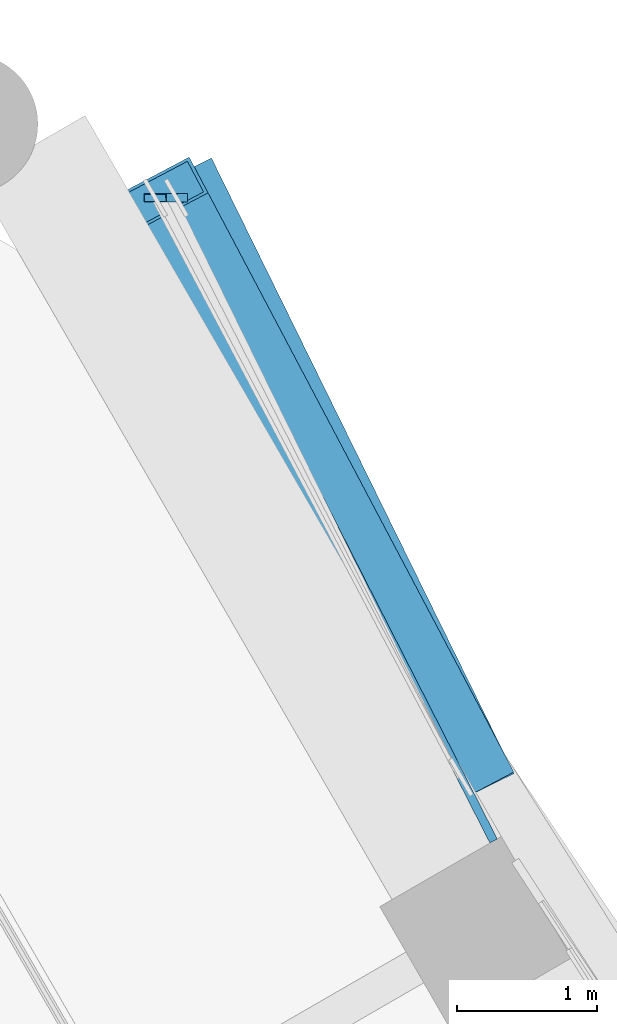
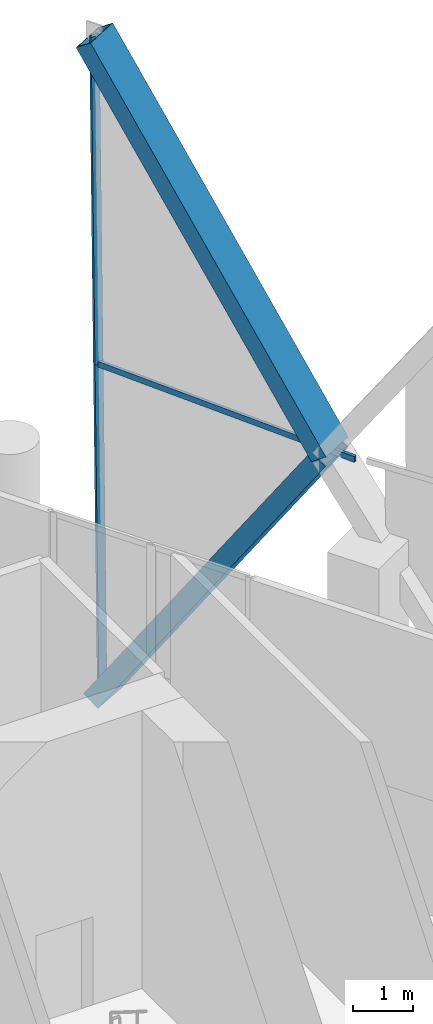
# One storey, part 32 of 43: 5 members, 2 elements without a shape of their own.
"""IFC4 building model written with IfcOpenShell, lengths in metres."""

from ifc_helpers import new_model, si_unit, direction, frame, origin, origin_2d, place, context, subcontext, project, spatial, hollow_rectangle, extrude, material, material_profile, profile_set, type_object, element, aggregate, save


model = new_model("IFC4")

# Units and contexts
model_context = context("Model", 3, precision=1e-05, world=origin(), true_north=direction((0.0, 1.0)))
body_context = subcontext(model_context, "Body", "Model", "MODEL_VIEW")
ifc_project = project(units=[si_unit("LENGTHUNIT", "METRE"), si_unit("AREAUNIT", "SQUARE_METRE"), si_unit("VOLUMEUNIT", "CUBIC_METRE"), si_unit("PLANEANGLEUNIT", "RADIAN"), si_unit("MASSUNIT", "GRAM", prefix="KILO")], contexts=[model_context])

# Site, building, storey
site_placement = place(None, origin())
site = spatial("IfcSite", under=ifc_project, at=site_placement, CompositionType="ELEMENT")
building_placement = place(site_placement, origin())
building = spatial("IfcBuilding", under=site, at=building_placement, Name="Ostrander Bayou Hotel Tower", CompositionType="ELEMENT")
storey_placement = place(building_placement, frame((0.0, 0.0, 151.0)))
storey = spatial("IfcBuildingStorey", under=building, at=storey_placement, Name="L37", CompositionType="ELEMENT", Elevation=151.0)

# Curtain wall, members
ifc_material_1 = material(Name="Aluminium and clear glass", Category="aluminium")
curtain_wall_type = type_object("IfcCurtainWallType", Name="CW-LAT lattice glazing", PredefinedType="NOTDEFINED", material=ifc_material_1)
curtain_wall_1_placement = place(storey_placement, origin())
curtain_wall_1 = element("IfcCurtainWall", 1, at=curtain_wall_1_placement, inside=storey, type_object=curtain_wall_type, Name="CW-LAT L37 NE 1", PredefinedType="NOTDEFINED")
ifc_material_2 = material(Name="Aluminium", Category="aluminium")
ifc_material_profile_1 = material_profile(ifc_material_2, hollow_rectangle(XDim=0.06005859375, YDim=0.159912109375, WallThickness=0.00390625, at=origin_2d()))
ifc_profile_set_1 = profile_set([ifc_material_profile_1], Name="Aluminium")
member_type_1 = type_object("IfcMemberType", Name="CW-LA mullion 60 x 160 mm", PredefinedType="MULLION", material=ifc_profile_set_1)
member_1_placement = place(storey_placement, frame((11.90576171875, 17.5185546875, -0.60009765625), z_axis=(-0.011211679529, 0.0, 0.999937147146), x_axis=(0.0, -1.0, 0.0)))
member_1 = element("IfcMember", 2, at=member_1_placement, type_object=member_type_1, Name="CW-LAT mullion 8", PredefinedType="MULLION", context=body_context, shape_type="SweptSolid", body=[
    extrude(hollow_rectangle(XDim=0.06005859375, YDim=0.159912109375, WallThickness=0.00390625, at=origin_2d()), origin(), (0.0, 0.0, 1.0), 6.75048828125),
])
member_2_placement = place(storey_placement, frame((11.830078125, 17.5185546875, 6.14990234375), z_axis=(-0.011175517345, 0.0, 0.999937551956), x_axis=(0.0, -1.0, 0.0)))
member_2 = element("IfcMember", 3, at=member_2_placement, type_object=member_type_1, Name="CW-LAT mullion 9", PredefinedType="MULLION", context=body_context, shape_type="SweptSolid", body=[
    extrude(hollow_rectangle(XDim=0.06005859375, YDim=0.159912109375, WallThickness=0.00390625, at=origin_2d()), origin(), (0.0, 0.0, 1.0), 6.75048828125),
])
aggregate(curtain_wall_1, [member_1, member_2])

# Curtain wall, member
curtain_wall_2_placement = place(storey_placement, origin())
curtain_wall_2 = element("IfcCurtainWall", 4, at=curtain_wall_2_placement, inside=storey, type_object=curtain_wall_type, Name="CW-LAT L37 NE 2", PredefinedType="NOTDEFINED")
ifc_material_3 = material(Name="Aluminium", Category="aluminium")
ifc_material_profile_2 = material_profile(ifc_material_3, hollow_rectangle(XDim=0.06005859375, YDim=0.1201171875, WallThickness=0.00390625, at=origin_2d()))
ifc_profile_set_2 = profile_set([ifc_material_profile_2], Name="Aluminium")
member_type_2 = type_object("IfcMemberType", Name="CW-LA transom 60 x 120 mm", PredefinedType="USERDEFINED", material=ifc_profile_set_2)
member_3_placement = place(storey_placement, frame((11.830078125, 17.5185546875, 6.14990234375), z_axis=(0.454184493622, -0.890907652764, 0.0), x_axis=(0.890907652764, 0.454184493622, 0.0)))
member_3 = element("IfcMember", 5, at=member_3_placement, type_object=member_type_2, Name="CW-LAT transom 10", ObjectType="TRANSOM", PredefinedType="USERDEFINED", context=body_context, shape_type="SweptSolid", body=[
    extrude(hollow_rectangle(XDim=0.06005859375, YDim=0.1201171875, WallThickness=0.00390625, at=origin_2d()), origin(), (0.0, 0.0, 1.0), 5.145263671875),
])
aggregate(curtain_wall_2, [member_3])

# Members
ifc_material_4 = material(Name="Steel ASTM A572 Gr 50", Category="steel")
ifc_material_profile_3 = material_profile(ifc_material_4, hollow_rectangle(XDim=0.699951171875, YDim=0.35009765625, WallThickness=0.02490234375, at=origin_2d()))
ifc_profile_set_3 = profile_set([ifc_material_profile_3], Name="Steel ASTM A572 Gr 50")
member_type_3 = type_object("IfcMemberType", Name="LT1 lattice member box 700 x 350 x 25 mm", PredefinedType="BRACE", material=ifc_profile_set_3)
member_4_placement = place(storey_placement, frame((13.93505859375, 13.3896484375, 6.14990234375), z_axis=(-0.248422077694, 0.505451657599, -0.826320212233), x_axis=(-0.897462937287, -0.441089873151, 0.0)))
element("IfcMember", 6, at=member_4_placement, inside=storey, type_object=member_type_3, Name="LT1 L37 NE 7", PredefinedType="BRACE", context=body_context, shape_type="SweptSolid", body=[
    extrude(hollow_rectangle(XDim=0.699951171875, YDim=0.35009765625, WallThickness=0.02490234375, at=origin_2d()), origin(), (0.0, 0.0, 1.0), 8.168701171875),
])
member_5_placement = place(storey_placement, frame((13.93505859375, 13.3896484375, 6.14990234375), z_axis=(-0.265658845299, 0.503059275747, 0.822409109263), x_axis=(-0.884272012545, -0.466972170295, 0.0)))
element("IfcMember", 7, at=member_5_placement, inside=storey, type_object=member_type_3, Name="LT1 L37 NE 8", PredefinedType="BRACE", context=body_context, shape_type="SweptSolid", body=[
    extrude(hollow_rectangle(XDim=0.699951171875, YDim=0.35009765625, WallThickness=0.02490234375, at=origin_2d()), origin(), (0.0, 0.0, 1.0), 8.20751953125),
])

save(model, "model.ifc")
